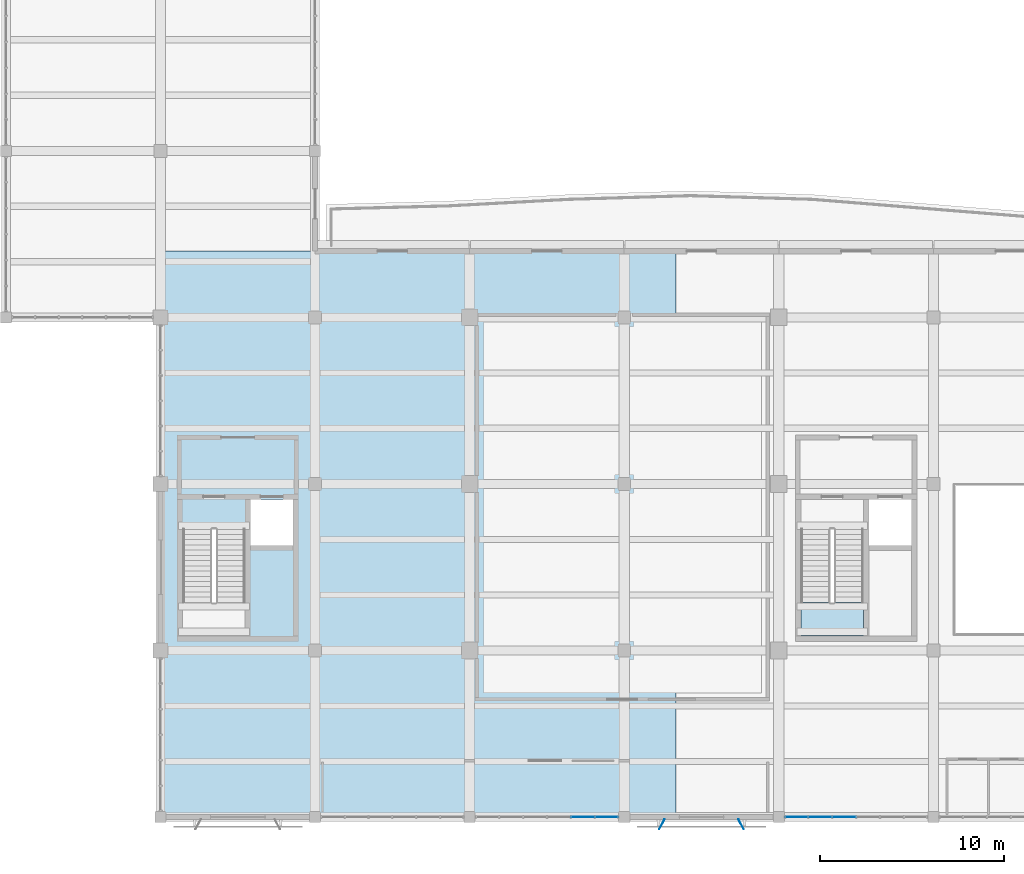
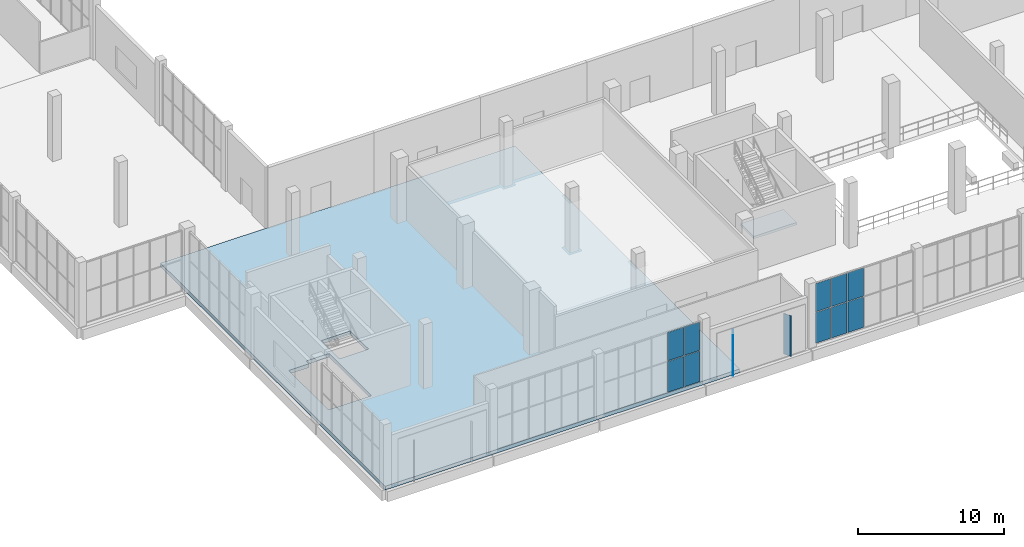
# One storey, part 95 of 132: 12 plates, 2 slabs, 3 elements without a shape of their own.
"""IFC4 building model written with IfcOpenShell, lengths in metres."""

from ifc_helpers import new_model, si_unit, direction, frame, origin, origin_2d, place, context, subcontext, project, spatial, polyline, rectangle, outline, extrude, material, layer, layer_set, type_object, element, aggregate, save


model = new_model("IFC4")

# Units and contexts
model_context = context("Model", 3, precision=1e-05, world=origin(), true_north=direction((0.0, 1.0)))
body_context = subcontext(model_context, "Body", "Model", "MODEL_VIEW")
ifc_project = project(units=[si_unit("LENGTHUNIT", "METRE"), si_unit("AREAUNIT", "SQUARE_METRE"), si_unit("VOLUMEUNIT", "CUBIC_METRE"), si_unit("PLANEANGLEUNIT", "RADIAN"), si_unit("MASSUNIT", "GRAM", prefix="KILO")], contexts=[model_context])

# Site, building, storey
site_placement = place(None, origin())
site = spatial("IfcSite", under=ifc_project, at=site_placement, CompositionType="ELEMENT")
building_placement = place(site_placement, origin())
building = spatial("IfcBuilding", under=site, at=building_placement, Name="Khurvash Pelagic Aquarium", CompositionType="ELEMENT")
storey_placement = place(building_placement, frame((0.0, 0.0, 5.39990234375)))
storey = spatial("IfcBuildingStorey", under=building, at=storey_placement, Name="L01", CompositionType="ELEMENT", Elevation=5.39990234375)

# Curtain wall, plates
ifc_material_1 = material(Name="Anodised aluminium and low-E laminated glass", Category="aluminium")
curtain_wall_type = type_object("IfcCurtainWallType", Name="CW-05", PredefinedType="USERDEFINED", material=ifc_material_1)
curtain_wall_1_placement = place(storey_placement, origin())
curtain_wall_1 = element("IfcCurtainWall", 1, at=curtain_wall_1_placement, inside=storey, type_object=curtain_wall_type, Name="L01 Facade Unitised Curtain Wall CW-05 0103", ObjectType="UNITISED CURTAIN WALL", PredefinedType="USERDEFINED")
ifc_material_2 = material(Name="Low-E laminated double glazing", Category="glass")
ifc_layer_1 = layer(ifc_material_2, 0.033935546875)
ifc_layer_set_1 = layer_set([ifc_layer_1], Name="Low-E laminated double glazing")
plate_type_1 = type_object("IfcPlateType", Name="CG-05", PredefinedType="CURTAIN_PANEL", material=ifc_layer_set_1)
plate_1_placement = place(storey_placement, frame((48.1474609375, 2.60009765625, 0.06005859375), z_axis=(0.0, 0.0, 1.0), x_axis=(1.0, 0.0, 0.0)))
plate_1 = element("IfcPlate", 2, at=plate_1_placement, type_object=plate_type_1, Name="CW-05 panel 5.1", PredefinedType="CURTAIN_PANEL", context=body_context, shape_type="SweptSolid", body=[
    extrude(rectangle(XDim=1.23828125, YDim=0.033935546875, at=origin_2d()), origin(), (0.0, 0.0, 1.0), 2.56201171875),
])
plate_2_placement = place(storey_placement, frame((48.1474609375, 2.60009765625, 2.68212890625), z_axis=(0.0, 0.0, 1.0), x_axis=(1.0, 0.0, 0.0)))
plate_2 = element("IfcPlate", 3, at=plate_2_placement, type_object=plate_type_1, Name="CW-05 panel 5.2", PredefinedType="CURTAIN_PANEL", context=body_context, shape_type="SweptSolid", body=[
    extrude(rectangle(XDim=1.23828125, YDim=0.033935546875, at=origin_2d()), origin(), (0.0, 0.0, 1.0), 2.35791015625),
])
plate_3_placement = place(storey_placement, frame((49.430908203125, 2.60009765625, 0.06005859375), z_axis=(0.0, 0.0, 1.0), x_axis=(1.0, 0.0, 0.0)))
plate_3 = element("IfcPlate", 4, at=plate_3_placement, type_object=plate_type_1, Name="CW-05 panel 6.1", PredefinedType="CURTAIN_PANEL", context=body_context, shape_type="SweptSolid", body=[
    extrude(rectangle(XDim=1.208251953125, YDim=0.033935546875, at=origin_2d()), origin(), (0.0, 0.0, 1.0), 2.56201171875),
])
plate_4_placement = place(storey_placement, frame((49.430908203125, 2.60009765625, 2.68212890625), z_axis=(0.0, 0.0, 1.0), x_axis=(1.0, 0.0, 0.0)))
plate_4 = element("IfcPlate", 5, at=plate_4_placement, type_object=plate_type_1, Name="CW-05 panel 6.2", PredefinedType="CURTAIN_PANEL", context=body_context, shape_type="SweptSolid", body=[
    extrude(rectangle(XDim=1.208251953125, YDim=0.033935546875, at=origin_2d()), origin(), (0.0, 0.0, 1.0), 2.35791015625),
])
aggregate(curtain_wall_1, [plate_1, plate_2, plate_3, plate_4])

curtain_wall_2_placement = place(storey_placement, origin())
curtain_wall_2 = element("IfcCurtainWall", 6, at=curtain_wall_2_placement, inside=storey, type_object=curtain_wall_type, Name="L01 Facade Unitised Curtain Wall CW-05 0104", ObjectType="UNITISED CURTAIN WALL", PredefinedType="USERDEFINED")
plate_5_placement = place(storey_placement, frame((59.769287109375, 2.60009765625, 0.06005859375), z_axis=(0.0, 0.0, 1.0), x_axis=(1.0, 0.0, 0.0)))
plate_5 = element("IfcPlate", 7, at=plate_5_placement, type_object=plate_type_1, Name="CW-05 panel 1.1", PredefinedType="CURTAIN_PANEL", context=body_context, shape_type="SweptSolid", body=[
    extrude(rectangle(XDim=1.208251953125, YDim=0.033935546875, at=origin_2d()), origin(), (0.0, 0.0, 1.0), 2.56201171875),
])
plate_6_placement = place(storey_placement, frame((59.769287109375, 2.60009765625, 2.68212890625), z_axis=(0.0, 0.0, 1.0), x_axis=(1.0, 0.0, 0.0)))
plate_6 = element("IfcPlate", 8, at=plate_6_placement, type_object=plate_type_1, Name="CW-05 panel 1.2", PredefinedType="CURTAIN_PANEL", context=body_context, shape_type="SweptSolid", body=[
    extrude(rectangle(XDim=1.208251953125, YDim=0.033935546875, at=origin_2d()), origin(), (0.0, 0.0, 1.0), 2.35791015625),
])
plate_7_placement = place(storey_placement, frame((61.052490234375, 2.60009765625, 0.06005859375), z_axis=(0.0, 0.0, 1.0), x_axis=(1.0, 0.0, 0.0)))
plate_7 = element("IfcPlate", 9, at=plate_7_placement, type_object=plate_type_1, Name="CW-05 panel 2.1", PredefinedType="CURTAIN_PANEL", context=body_context, shape_type="SweptSolid", body=[
    extrude(rectangle(XDim=1.23828125, YDim=0.033935546875, at=origin_2d()), origin(), (0.0, 0.0, 1.0), 2.56201171875),
])
plate_8_placement = place(storey_placement, frame((61.052490234375, 2.60009765625, 2.68212890625), z_axis=(0.0, 0.0, 1.0), x_axis=(1.0, 0.0, 0.0)))
plate_8 = element("IfcPlate", 10, at=plate_8_placement, type_object=plate_type_1, Name="CW-05 panel 2.2", PredefinedType="CURTAIN_PANEL", context=body_context, shape_type="SweptSolid", body=[
    extrude(rectangle(XDim=1.23828125, YDim=0.033935546875, at=origin_2d()), origin(), (0.0, 0.0, 1.0), 2.35791015625),
])
plate_9_placement = place(storey_placement, frame((62.350830078125, 2.60009765625, 0.06005859375), z_axis=(0.0, 0.0, 1.0), x_axis=(1.0, 0.0, 0.0)))
plate_9 = element("IfcPlate", 11, at=plate_9_placement, type_object=plate_type_1, Name="CW-05 panel 3.1", PredefinedType="CURTAIN_PANEL", context=body_context, shape_type="SweptSolid", body=[
    extrude(rectangle(XDim=1.23828125, YDim=0.033935546875, at=origin_2d()), origin(), (0.0, 0.0, 1.0), 2.56201171875),
])
plate_10_placement = place(storey_placement, frame((62.350830078125, 2.60009765625, 2.68212890625), z_axis=(0.0, 0.0, 1.0), x_axis=(1.0, 0.0, 0.0)))
plate_10 = element("IfcPlate", 12, at=plate_10_placement, type_object=plate_type_1, Name="CW-05 panel 3.2", PredefinedType="CURTAIN_PANEL", context=body_context, shape_type="SweptSolid", body=[
    extrude(rectangle(XDim=1.23828125, YDim=0.033935546875, at=origin_2d()), origin(), (0.0, 0.0, 1.0), 2.35791015625),
])
aggregate(curtain_wall_2, [plate_5, plate_6, plate_7, plate_8, plate_9, plate_10])

# Slab
ifc_material_3 = material(Name="Concrete C40/50", Category="concrete")
ifc_layer_2 = layer(ifc_material_3, 0.31005859375)
ifc_layer_set_2 = layer_set([ifc_layer_2], Name="Concrete C40/50")
slab_type_1 = type_object("IfcSlabType", Name="FS-310", PredefinedType="FLOOR", material=ifc_layer_set_2)
slab_1_placement = place(storey_placement, frame((0.0, 0.0, -0.309814453125)))
element("IfcSlab", 13, at=slab_1_placement, inside=storey, type_object=slab_type_1, Name="L01 Structural Floor Slab FS-310 V3_SOUTH.1", PredefinedType="FLOOR", context=body_context, shape_type="SweptSolid", body=[
    extrude(outline(polyline([(25.199951171875, 2.60009765625), (53.199951171875, 2.60009765625), (53.199951171875, 33.35009765625), (25.199951171875, 33.35009765625), (25.199951171875, 2.60009765625)]), holes=[polyline([(28.0, 18.25), (29.800048828125, 18.25), (29.800048828125, 12.449951171875), (26.39990234375, 12.449951171875), (26.39990234375, 17.8701171875), (28.0, 17.8701171875), (28.0, 18.25)]), polyline([(32.39990234375, 17.35009765625), (30.10009765625, 17.35009765625), (30.10009765625, 19.85009765625), (32.39990234375, 19.85009765625), (32.39990234375, 17.35009765625)])]), origin(), (0.0, 0.0, 1.0), 0.309814453125),
])

# Stair, slab
ifc_material_4 = material(Name="Concrete C35/45", Category="concrete")
stair_type = type_object("IfcStairType", Name="ST-02", PredefinedType="HALF_TURN_STAIR", material=ifc_material_4)
stair_placement = place(storey_placement, origin())
stair = element("IfcStair", 14, at=stair_placement, inside=storey, type_object=stair_type, Name="L01 Protected Exit Stair ST-02", PredefinedType="HALF_TURN_STAIR")
ifc_layer_3 = layer(ifc_material_4, 0.199951171875)
ifc_layer_set_3 = layer_set([ifc_layer_3], Name="Concrete C35/45")
slab_type_2 = type_object("IfcSlabType", Name="SL-LND-200", PredefinedType="LANDING", material=ifc_layer_set_3)
slab_2_placement = place(storey_placement, frame((0.0, 0.0, 2.5)))
slab_2 = element("IfcSlab", 15, at=slab_2_placement, type_object=slab_type_2, Name="ST-02 landing 1", PredefinedType="LANDING", context=body_context, shape_type="SweptSolid", body=[
    extrude(outline(polyline([(60.0, 14.260009765625), (60.0, 12.449951171875), (63.39990234375, 12.449951171875), (63.39990234375, 14.260009765625), (60.0, 14.260009765625)])), origin(), (0.0, 0.0, 1.0), 0.2001953125),
])
aggregate(stair, [slab_2])

# Plates
ifc_material_5 = material(Name="Anodised aluminium AW-5005", Category="aluminium")
ifc_layer_4 = layer(ifc_material_5, 0.02392578125)
ifc_layer_set_4 = layer_set([ifc_layer_4], Name="Anodised aluminium AW-5005")
plate_type_2 = type_object("IfcPlateType", Name="SP-01", PredefinedType="SHEET", material=ifc_layer_set_4)
for number, where, z_axis, x_axis, name in (
    (16, (52.449951171875, 2.2119140625, 0.150146484375), (0.0, 0.0, 1.0), (-0.469471562786, -0.882947592859, 0.0), "L01 Parametric Folded Aluminium Solar Screen Fin SP-01 0003"),
    (17, (56.75, 2.2119140625, 0.150146484375), (0.0, 0.0, 1.0), (0.469471562786, -0.882947592859, 0.0), "L01 Parametric Folded Aluminium Solar Screen Fin SP-01 0004"),
):
    element("IfcPlate", number, at=place(storey_placement, frame(where, z_axis=z_axis, x_axis=x_axis)), inside=storey, type_object=plate_type_2, Name=name, PredefinedType="SHEET", context=body_context, shape_type="SweptSolid", body=[
        extrude(rectangle(XDim=0.6201171875, YDim=0.02392578125, at=origin_2d()), origin(), (0.0, 0.0, 1.0), 3.39990234375),
    ])

save(model, "model.ifc")
